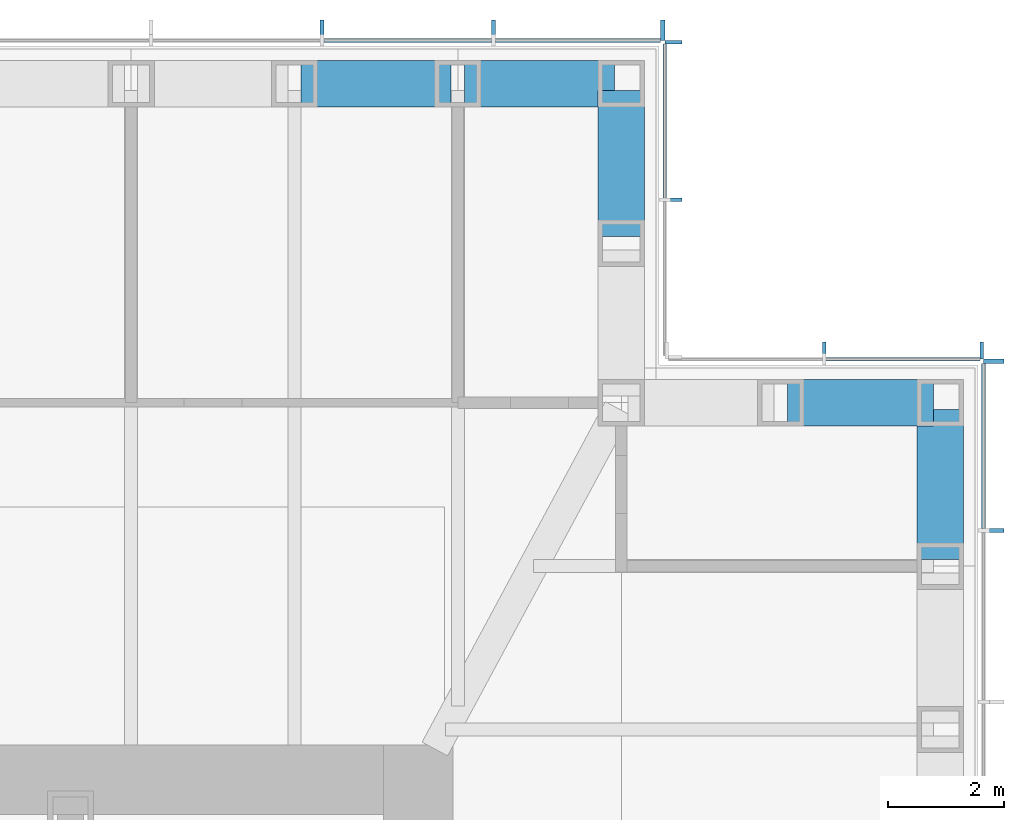
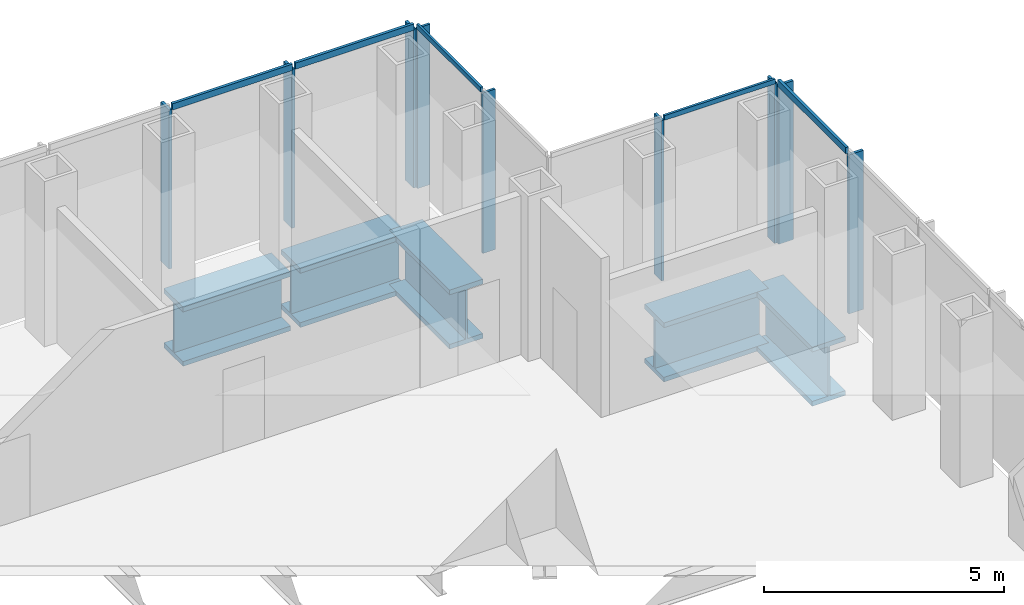
# One storey, part 6 of 17: 14 members, 5 beams, 4 elements without a shape of their own.
"""IFC4 building model written with IfcOpenShell, lengths in metres."""

from ifc_helpers import new_model, si_unit, direction, frame, origin, origin_2d, place, context, subcontext, project, spatial, rectangle, i_section, extrude, material, material_profile, profile_set, type_object, element, aggregate, save


model = new_model("IFC4")

# Units and contexts
model_context = context("Model", 3, precision=1e-05, world=origin(), true_north=direction((0.0, 1.0)))
body_context = subcontext(model_context, "Body", "Model", "MODEL_VIEW")
ifc_project = project(units=[si_unit("LENGTHUNIT", "METRE"), si_unit("AREAUNIT", "SQUARE_METRE"), si_unit("VOLUMEUNIT", "CUBIC_METRE"), si_unit("PLANEANGLEUNIT", "RADIAN"), si_unit("MASSUNIT", "GRAM", prefix="KILO")], contexts=[model_context])

# Site, building, storey
site_placement = place(None, origin())
site = spatial("IfcSite", under=ifc_project, at=site_placement, CompositionType="ELEMENT")
building_placement = place(site_placement, origin())
building = spatial("IfcBuilding", under=site, at=building_placement, Name="Daluyong Arena Tower", CompositionType="ELEMENT")
storey_placement = place(building_placement, frame((0.0, 0.0, 223.300048828125)))
storey = spatial("IfcBuildingStorey", under=building, at=storey_placement, Name="L50", CompositionType="ELEMENT", Elevation=223.300048828125)

# Curtain wall, members
ifc_material_1 = material(Name="Bronze anodised aluminium and glass", Category="aluminium")
curtain_wall_type_1 = type_object("IfcCurtainWallType", Name="Curtain wall CW3", PredefinedType="USERDEFINED", material=ifc_material_1)
curtain_wall_1_placement = place(storey_placement, origin())
curtain_wall_1 = element("IfcCurtainWall", 1, at=curtain_wall_1_placement, inside=storey, type_object=curtain_wall_type_1, Name="curtain wall L50 E", ObjectType="UNITISED CURTAIN WALL", PredefinedType="USERDEFINED")
ifc_material_2 = material(Name="Bronze anodised aluminium fin", Category="aluminium")
ifc_material_profile_1 = material_profile(ifc_material_2, rectangle(XDim=0.35009765625, YDim=0.070068359375, at=origin_2d()))
ifc_profile_set_1 = profile_set([ifc_material_profile_1], Name="Bronze anodised aluminium fin")
member_type_1 = type_object("IfcMemberType", Name="CW3 bronze fin 350x70", PredefinedType="MULLION", material=ifc_profile_set_1)
member_1_placement = place(storey_placement, frame((77.925048828125, 93.29541015625, 0.0), z_axis=(0.0, 0.0, 1.0), x_axis=(-1.0, 0.0, 0.0)))
member_1 = element("IfcMember", 2, at=member_1_placement, type_object=member_type_1, Name="curtain wall L50 E fin 11", PredefinedType="MULLION", context=body_context, shape_type="SweptSolid", body=[
    extrude(rectangle(XDim=0.35009765625, YDim=0.070068359375, at=origin_2d()), origin(), (0.0, 0.0, 1.0), 4.0400390625),
])
member_2_placement = place(storey_placement, frame((77.925048828125, 96.215087890625, 0.0), z_axis=(0.0, 0.0, 1.0), x_axis=(-1.0, 0.0, 0.0)))
member_2 = element("IfcMember", 3, at=member_2_placement, type_object=member_type_1, Name="curtain wall L50 E fin 12", PredefinedType="MULLION", context=body_context, shape_type="SweptSolid", body=[
    extrude(rectangle(XDim=0.35009765625, YDim=0.070068359375, at=origin_2d()), origin(), (0.0, 0.0, 1.0), 4.0400390625),
])

curtain_wall_2_placement = place(storey_placement, origin())
curtain_wall_2 = element("IfcCurtainWall", 4, at=curtain_wall_2_placement, inside=storey, type_object=curtain_wall_type_1, Name="curtain wall L50 N", ObjectType="UNITISED CURTAIN WALL", PredefinedType="USERDEFINED")
member_3_placement = place(storey_placement, frame((72.215087890625, 101.925048828125, 0.0), z_axis=(0.0, 0.0, 1.0), x_axis=(0.0, -1.0, 0.0)))
member_3 = element("IfcMember", 5, at=member_3_placement, type_object=member_type_1, Name="curtain wall L50 N fin 1", PredefinedType="MULLION", context=body_context, shape_type="SweptSolid", body=[
    extrude(rectangle(XDim=0.35009765625, YDim=0.070068359375, at=origin_2d()), origin(), (0.0, 0.0, 1.0), 4.0400390625),
])
member_4_placement = place(storey_placement, frame((69.29541015625, 101.925048828125, 0.0), z_axis=(0.0, 0.0, 1.0), x_axis=(0.0, -1.0, 0.0)))
member_4 = element("IfcMember", 6, at=member_4_placement, type_object=member_type_1, Name="curtain wall L50 N fin 2", PredefinedType="MULLION", context=body_context, shape_type="SweptSolid", body=[
    extrude(rectangle(XDim=0.35009765625, YDim=0.070068359375, at=origin_2d()), origin(), (0.0, 0.0, 1.0), 4.0400390625),
])
member_5_placement = place(storey_placement, frame((66.3408203125, 101.925048828125, 0.0), z_axis=(0.0, 0.0, 1.0), x_axis=(0.0, -1.0, 0.0)))
member_5 = element("IfcMember", 7, at=member_5_placement, type_object=member_type_1, Name="curtain wall L50 N fin 3", PredefinedType="MULLION", context=body_context, shape_type="SweptSolid", body=[
    extrude(rectangle(XDim=0.35009765625, YDim=0.070068359375, at=origin_2d()), origin(), (0.0, 0.0, 1.0), 4.0400390625),
])

# Member
ifc_material_3 = material(Name="Bronze anodised aluminium", Category="aluminium")
ifc_material_profile_2 = material_profile(ifc_material_3, rectangle(XDim=0.070068359375, YDim=0.159912109375, at=origin_2d()))
ifc_profile_set_2 = profile_set([ifc_material_profile_2], Name="Bronze anodised aluminium")
member_type_2 = type_object("IfcMemberType", Name="CW3 stack transom 160x70", PredefinedType="USERDEFINED", material=ifc_profile_set_2)
member_6_placement = place(storey_placement, frame((77.75, 93.33056640625, 4.119873046875), z_axis=(0.0, 1.0, 0.0), x_axis=(-1.0, 0.0, 0.0)))
member_6 = element("IfcMember", 8, at=member_6_placement, type_object=member_type_2, Name="curtain wall L50 E transom 11", ObjectType="TRANSOM", PredefinedType="USERDEFINED", context=body_context, shape_type="SweptSolid", body=[
    extrude(rectangle(XDim=0.070068359375, YDim=0.159912109375, at=origin_2d()), origin(), (0.0, 0.0, 1.0), 2.849365234375),
])

aggregate(curtain_wall_1, [member_1, member_2, member_6])

member_7_placement = place(storey_placement, frame((72.179931640625, 101.75, 4.119873046875), z_axis=(-1.0, 0.0, 0.0), x_axis=(0.0, -1.0, 0.0)))
member_7 = element("IfcMember", 9, at=member_7_placement, type_object=member_type_2, Name="curtain wall L50 N transom 1", ObjectType="TRANSOM", PredefinedType="USERDEFINED", context=body_context, shape_type="SweptSolid", body=[
    extrude(rectangle(XDim=0.070068359375, YDim=0.159912109375, at=origin_2d()), origin(), (0.0, 0.0, 1.0), 2.849365234375),
])

member_8_placement = place(storey_placement, frame((69.260498046875, 101.75, 4.119873046875), z_axis=(-1.0, 0.0, 0.0), x_axis=(0.0, -1.0, 0.0)))
member_8 = element("IfcMember", 10, at=member_8_placement, type_object=member_type_2, Name="curtain wall L50 N transom 2", ObjectType="TRANSOM", PredefinedType="USERDEFINED", context=body_context, shape_type="SweptSolid", body=[
    extrude(rectangle(XDim=0.070068359375, YDim=0.159912109375, at=origin_2d()), origin(), (0.0, 0.0, 1.0), 2.884521484375),
])

aggregate(curtain_wall_2, [member_3, member_4, member_5, member_7, member_8])

# Curtain wall, members
ifc_material_4 = material(Name="Bronze anodised aluminium and glass", Category="aluminium")
curtain_wall_type_2 = type_object("IfcCurtainWallType", Name="Curtain wall CW7", PredefinedType="USERDEFINED", material=ifc_material_4)
curtain_wall_3_placement = place(storey_placement, origin())
curtain_wall_3 = element("IfcCurtainWall", 11, at=curtain_wall_3_placement, inside=storey, type_object=curtain_wall_type_2, Name="curtain wall L50 NE-N", ObjectType="UNITISED CURTAIN WALL", PredefinedType="USERDEFINED")
ifc_material_5 = material(Name="Bronze anodised aluminium fin", Category="aluminium")
ifc_material_profile_3 = material_profile(ifc_material_5, rectangle(XDim=0.300048828125, YDim=0.06005859375, at=origin_2d()))
ifc_profile_set_3 = profile_set([ifc_material_profile_3], Name="Bronze anodised aluminium fin")
member_type_3 = type_object("IfcMemberType", Name="CW7 bronze fin 300x60", PredefinedType="MULLION", material=ifc_profile_set_3)
member_9_placement = place(storey_placement, frame((77.719970703125, 96.39990234375, 0.0), z_axis=(0.0, 0.0, 1.0), x_axis=(0.0, -1.0, 0.0)))
member_9 = element("IfcMember", 12, at=member_9_placement, type_object=member_type_3, Name="curtain wall L50 NE-N fin 1", PredefinedType="MULLION", context=body_context, shape_type="SweptSolid", body=[
    extrude(rectangle(XDim=0.300048828125, YDim=0.06005859375, at=origin_2d()), origin(), (0.0, 0.0, 1.0), 4.079833984375),
])
member_10_placement = place(storey_placement, frame((75.0, 96.39990234375, 0.0), z_axis=(0.0, 0.0, 1.0), x_axis=(0.0, -1.0, 0.0)))
member_10 = element("IfcMember", 13, at=member_10_placement, type_object=member_type_3, Name="curtain wall L50 NE-N fin 2", PredefinedType="MULLION", context=body_context, shape_type="SweptSolid", body=[
    extrude(rectangle(XDim=0.300048828125, YDim=0.06005859375, at=origin_2d()), origin(), (0.0, 0.0, 1.0), 4.079833984375),
])

curtain_wall_4_placement = place(storey_placement, origin())
curtain_wall_4 = element("IfcCurtainWall", 14, at=curtain_wall_4_placement, inside=storey, type_object=curtain_wall_type_2, Name="curtain wall L50 NE-E", ObjectType="UNITISED CURTAIN WALL", PredefinedType="USERDEFINED")
member_11_placement = place(storey_placement, frame((72.39990234375, 99.0, 0.0), z_axis=(0.0, 0.0, 1.0), x_axis=(-1.0, 0.0, 0.0)))
member_11 = element("IfcMember", 15, at=member_11_placement, type_object=member_type_3, Name="curtain wall L50 NE-E fin 2", PredefinedType="MULLION", context=body_context, shape_type="SweptSolid", body=[
    extrude(rectangle(XDim=0.300048828125, YDim=0.06005859375, at=origin_2d()), origin(), (0.0, 0.0, 1.0), 4.079833984375),
])
member_12_placement = place(storey_placement, frame((72.39990234375, 101.719970703125, 0.0), z_axis=(0.0, 0.0, 1.0), x_axis=(-1.0, 0.0, 0.0)))
member_12 = element("IfcMember", 16, at=member_12_placement, type_object=member_type_3, Name="curtain wall L50 NE-E fin 3", PredefinedType="MULLION", context=body_context, shape_type="SweptSolid", body=[
    extrude(rectangle(XDim=0.300048828125, YDim=0.06005859375, at=origin_2d()), origin(), (0.0, 0.0, 1.0), 4.079833984375),
])

# Member
ifc_material_6 = material(Name="Bronze anodised aluminium", Category="aluminium")
ifc_material_profile_4 = material_profile(ifc_material_6, rectangle(XDim=0.06005859375, YDim=0.1201171875, at=origin_2d()))
ifc_profile_set_4 = profile_set([ifc_material_profile_4], Name="Bronze anodised aluminium")
member_type_4 = type_object("IfcMemberType", Name="CW7 stack transom 120x60", PredefinedType="USERDEFINED", material=ifc_profile_set_4)
member_13_placement = place(storey_placement, frame((77.68994140625, 96.25, 4.139892578125), z_axis=(-1.0, 0.0, 0.0), x_axis=(0.0, -1.0, 0.0)))
member_13 = element("IfcMember", 17, at=member_13_placement, type_object=member_type_4, Name="curtain wall L50 NE-N transom 1", ObjectType="TRANSOM", PredefinedType="USERDEFINED", context=body_context, shape_type="SweptSolid", body=[
    extrude(rectangle(XDim=0.06005859375, YDim=0.1201171875, at=origin_2d()), origin(), (0.0, 0.0, 1.0), 2.659912109375),
])

aggregate(curtain_wall_3, [member_9, member_10, member_13])

member_14_placement = place(storey_placement, frame((72.25, 99.030029296875, 4.139892578125), z_axis=(0.0, 1.0, 0.0), x_axis=(-1.0, 0.0, 0.0)))
member_14 = element("IfcMember", 18, at=member_14_placement, type_object=member_type_4, Name="curtain wall L50 NE-E transom 2", ObjectType="TRANSOM", PredefinedType="USERDEFINED", context=body_context, shape_type="SweptSolid", body=[
    extrude(rectangle(XDim=0.06005859375, YDim=0.1201171875, at=origin_2d()), origin(), (0.0, 0.0, 1.0), 2.659912109375),
])

aggregate(curtain_wall_4, [member_11, member_12, member_14])

# Beams
ifc_material_7 = material(Name="Steel ASTM A588 Grade 50", Category="steel")
ifc_material_profile_5 = material_profile(ifc_material_7, i_section(OverallWidth=0.800048828125, OverallDepth=1.5, WebThickness=0.05, FlangeThickness=0.12, at=origin_2d()))
ifc_profile_set_5 = profile_set([ifc_material_profile_5], Name="Steel ASTM A588 Grade 50")
beam_type = type_object("IfcBeamType", Name="Spandrel Z3 PG1500X800", PredefinedType="SPANDREL", material=ifc_profile_set_5)
beam_1_placement = place(storey_placement, frame((77.0, 92.796875, -0.91015625), z_axis=(0.0, 1.0, 0.0), x_axis=(-1.0, 0.0, 0.0)))
element("IfcBeam", 19, at=beam_1_placement, inside=storey, type_object=beam_type, Name="spandrel z3 SB7", PredefinedType="SPANDREL", context=body_context, shape_type="SweptSolid", body=[
    extrude(i_section(OverallWidth=0.800048828125, OverallDepth=1.5, WebThickness=0.05, FlangeThickness=0.12, at=origin_2d()), origin(), (0.0, 0.0, 1.0), 2.588134765625),
])
for number, where, z_axis, x_axis, name in (
    (20, (76.885009765625, 95.5, -0.91015625), (-1.0, 0.0, 0.0), (0.0, -1.0, 0.0), "spandrel z3 SB7"),
    (21, (71.5, 98.364990234375, -0.91015625), (0.0, 1.0, 0.0), (-1.0, 0.0, 0.0), "spandrel z3 SB7"),
):
    element("IfcBeam", number, at=place(storey_placement, frame(where, z_axis=z_axis, x_axis=x_axis)), inside=storey, type_object=beam_type, Name=name, PredefinedType="SPANDREL", context=body_context, shape_type="SweptSolid", body=[
        extrude(i_section(OverallWidth=0.800048828125, OverallDepth=1.5, WebThickness=0.05, FlangeThickness=0.12, at=origin_2d()), origin(), (0.0, 0.0, 1.0), 2.52001953125),
    ])
beam_2_placement = place(storey_placement, frame((71.385009765625, 101.0, -0.91015625), z_axis=(-1.0, 0.0, 0.0), x_axis=(0.0, -1.0, 0.0)))
element("IfcBeam", 22, at=beam_2_placement, inside=storey, type_object=beam_type, Name="spandrel z3 SB7", PredefinedType="SPANDREL", context=body_context, shape_type="SweptSolid", body=[
    extrude(i_section(OverallWidth=0.800048828125, OverallDepth=1.5, WebThickness=0.05, FlangeThickness=0.12, at=origin_2d()), origin(), (0.0, 0.0, 1.0), 2.588134765625),
])
beam_3_placement = place(storey_placement, frame((68.56689453125, 101.0, -0.91015625), z_axis=(-1.0, 0.0, 0.0), x_axis=(0.0, -1.0, 0.0)))
element("IfcBeam", 23, at=beam_3_placement, inside=storey, type_object=beam_type, Name="spandrel z3 SB7", PredefinedType="SPANDREL", context=body_context, shape_type="SweptSolid", body=[
    extrude(i_section(OverallWidth=0.800048828125, OverallDepth=1.5, WebThickness=0.05, FlangeThickness=0.12, at=origin_2d()), origin(), (0.0, 0.0, 1.0), 2.58837890625),
])

save(model, "model.ifc")
